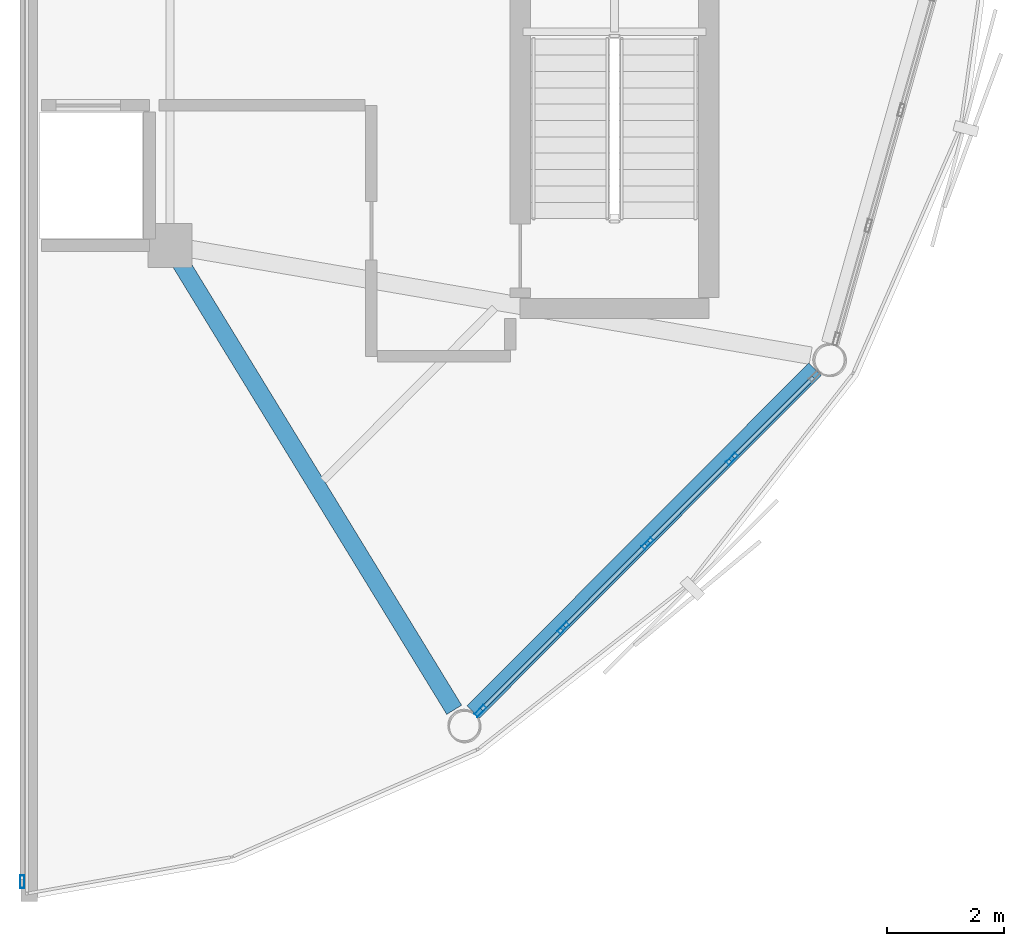
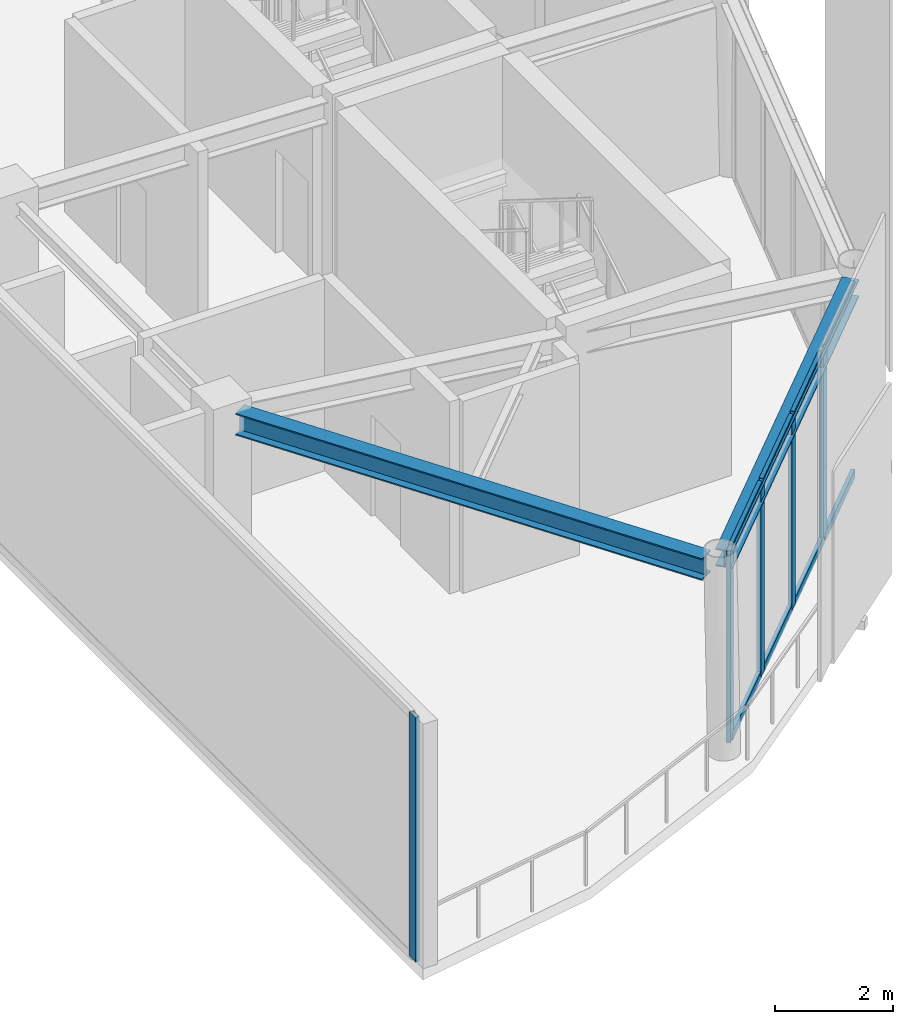
# One storey, part 2 of 13: 13 members, 2 beams, 2 elements without a shape of their own.
"""IFC4 building model written with IfcOpenShell, lengths in metres."""

from ifc_helpers import new_model, si_unit, direction, frame, origin, origin_2d, place, context, subcontext, project, spatial, hollow_rectangle, i_section, extrude, material, layer, layer_set, material_profile, profile_set, type_object, element, aggregate, save


model = new_model("IFC4")

# Units and contexts
model_context = context("Model", 3, precision=1e-05, world=origin(), true_north=direction((0.0, 1.0)))
body_context = subcontext(model_context, "Body", "Model", "MODEL_VIEW")
ifc_project = project(units=[si_unit("LENGTHUNIT", "METRE"), si_unit("AREAUNIT", "SQUARE_METRE"), si_unit("VOLUMEUNIT", "CUBIC_METRE"), si_unit("PLANEANGLEUNIT", "RADIAN"), si_unit("MASSUNIT", "GRAM", prefix="KILO")], contexts=[model_context])

# Site, building, storey
site_placement = place(None, origin())
site = spatial("IfcSite", under=ifc_project, at=site_placement, CompositionType="ELEMENT")
building_placement = place(site_placement, origin())
building = spatial("IfcBuilding", under=site, at=building_placement, Name="Varnakorn Sky Granary", CompositionType="ELEMENT")
storey_placement = place(building_placement, frame((0.0, 0.0, 315.0)))
storey = spatial("IfcBuildingStorey", under=building, at=storey_placement, Name="L80", CompositionType="ELEMENT", Elevation=315.0)

# Beams
ifc_material_1 = material(Name="Steel S355JR", Category="steel")
ifc_material_profile_1 = material_profile(ifc_material_1, i_section(OverallWidth=0.300048828125, OverallDepth=0.449951171875, WebThickness=0.013916015625, FlangeThickness=0.02587890625, at=origin_2d()), Name="HE 450 B")
ifc_profile_set_1 = profile_set([ifc_material_profile_1], Name="Steel S355JR")
beam_type_1 = type_object("IfcBeamType", Name="BM-RAD-Z5", PredefinedType="BEAM", material=ifc_profile_set_1)
beam_1_placement = place(storey_placement, frame((8.535400390625, -6.90283203125, 3.735107421875), z_axis=(0.522179715681, -0.852835473307, 0.0), x_axis=(0.852835473307, 0.522179715681, 0.0)))
element("IfcBeam", 1, at=beam_1_placement, inside=storey, type_object=beam_type_1, Name="Radial Floor Girder RG11 L80", PredefinedType="BEAM", context=body_context, shape_type="SweptSolid", body=[
    extrude(i_section(OverallWidth=0.300048828125, OverallDepth=0.449951171875, WebThickness=0.013916015625, FlangeThickness=0.02587890625, at=origin_2d()), origin(), (0.0, 0.0, 1.0), 8.97021484375),
])
ifc_material_profile_2 = material_profile(ifc_material_1, i_section(OverallWidth=0.300048828125, OverallDepth=0.360107421875, WebThickness=0.012451171875, FlangeThickness=0.0224609375, at=origin_2d()), Name="HE 360 B")
ifc_profile_set_2 = profile_set([ifc_material_profile_2], Name="Steel S355JR")
beam_type_2 = type_object("IfcBeamType", Name="BM-SPD-Z5", PredefinedType="SPANDREL", material=ifc_profile_set_2)
beam_2_placement = place(storey_placement, frame((13.544189453125, -14.59130859375, 3.780029296875), z_axis=(0.706075478013, 0.708136582411, 0.0), x_axis=(-0.708136582411, 0.706075478013, 0.0)))
element("IfcBeam", 2, at=beam_2_placement, inside=storey, type_object=beam_type_2, Name="Perimeter Spandrel Ring Beam RB11 L80", PredefinedType="SPANDREL", context=body_context, shape_type="SweptSolid", body=[
    extrude(i_section(OverallWidth=0.300048828125, OverallDepth=0.360107421875, WebThickness=0.012451171875, FlangeThickness=0.0224609375, at=origin_2d()), origin(), (0.0, 0.0, 1.0), 8.29150390625),
])

# Curtain wall, members
ifc_material_2 = material(Name="Anodised Bronze Aluminium Alloy 6063-T6", Category="aluminium")
ifc_layer = layer(ifc_material_2, 0.22998046875, Name="Anodised Bronze Aluminium Alloy 6063-T6")
ifc_layer_set = layer_set([ifc_layer], Name="Anodised Bronze Aluminium Alloy 6063-T6")
curtain_wall_type = type_object("IfcCurtainWallType", Name="CW-LNT-1", PredefinedType="USERDEFINED", material=ifc_layer_set)
curtain_wall_1_placement = place(storey_placement, origin())
curtain_wall_1 = element("IfcCurtainWall", 3, at=curtain_wall_1_placement, inside=storey, type_object=curtain_wall_type, Name="Unitised Curtain Wall CW7 CW-L80-B11", ObjectType="CURTAIN WALL", PredefinedType="USERDEFINED")
ifc_material_profile_3 = material_profile(ifc_material_2, hollow_rectangle(XDim=0.074951171875, YDim=0.219970703125, WallThickness=0.00390625, at=origin_2d()), Name="ALU MULL 75x220")
ifc_profile_set_3 = profile_set([ifc_material_profile_3], Name="Anodised Bronze Aluminium Alloy 6063-T6")
member_type_1 = type_object("IfcMemberType", Name="CW-LNT-1-MULL", PredefinedType="MULLION", material=ifc_profile_set_3)
member_1_placement = place(storey_placement, frame((17.97509765625, -10.256103515625, 0.0), z_axis=(0.0, 0.0, 1.0), x_axis=(0.707827489254, -0.706385337798, 0.0)))
member_1 = element("IfcMember", 4, at=member_1_placement, type_object=member_type_1, Name="CW7 mullion 2", PredefinedType="MULLION", context=body_context, shape_type="SweptSolid", body=[
    extrude(hollow_rectangle(XDim=0.074951171875, YDim=0.219970703125, WallThickness=0.00390625, at=origin_2d()), origin(), (0.0, 0.0, 1.0), 3.9599609375),
])
member_2_placement = place(storey_placement, frame((16.5302734375, -11.7041015625, 0.0), z_axis=(0.0, 0.0, 1.0), x_axis=(0.707827489254, -0.706385337798, 0.0)))
member_2 = element("IfcMember", 5, at=member_2_placement, type_object=member_type_1, Name="CW7 mullion 3", PredefinedType="MULLION", context=body_context, shape_type="SweptSolid", body=[
    extrude(hollow_rectangle(XDim=0.074951171875, YDim=0.219970703125, WallThickness=0.00390625, at=origin_2d()), origin(), (0.0, 0.0, 1.0), 3.9599609375),
])
member_3_placement = place(storey_placement, frame((15.085205078125, -13.152099609375, 0.0), z_axis=(0.0, 0.0, 1.0), x_axis=(0.707827489254, -0.706385337798, 0.0)))
member_3 = element("IfcMember", 6, at=member_3_placement, type_object=member_type_1, Name="CW7 mullion 4", PredefinedType="MULLION", context=body_context, shape_type="SweptSolid", body=[
    extrude(hollow_rectangle(XDim=0.074951171875, YDim=0.219970703125, WallThickness=0.00390625, at=origin_2d()), origin(), (0.0, 0.0, 1.0), 3.9599609375),
])
member_4_placement = place(storey_placement, frame((13.666748046875, -14.5732421875, 0.0), z_axis=(0.0, 0.0, 1.0), x_axis=(0.707827489254, -0.706385337798, 0.0)))
member_4 = element("IfcMember", 7, at=member_4_placement, type_object=member_type_1, Name="CW7 mullion 5", PredefinedType="MULLION", context=body_context, shape_type="SweptSolid", body=[
    extrude(hollow_rectangle(XDim=0.074951171875, YDim=0.219970703125, WallThickness=0.00390625, at=origin_2d()), origin(), (0.0, 0.0, 1.0), 3.9599609375),
])

# Curtain wall, member
curtain_wall_2_placement = place(storey_placement, origin())
curtain_wall_2 = element("IfcCurtainWall", 8, at=curtain_wall_2_placement, inside=storey, type_object=curtain_wall_type, Name="Unitised Curtain Wall CW7 CW-L80-SLANT", ObjectType="CURTAIN WALL", PredefinedType="USERDEFINED")
member_5_placement = place(storey_placement, frame((5.820068359375, -17.498046875, 0.0), z_axis=(0.0, 0.0, 1.0), x_axis=(-1.0, 0.0, 0.0)))
member_5 = element("IfcMember", 9, at=member_5_placement, type_object=member_type_1, Name="CW7 mullion 1", PredefinedType="MULLION", context=body_context, shape_type="SweptSolid", body=[
    extrude(hollow_rectangle(XDim=0.074951171875, YDim=0.219970703125, WallThickness=0.00390625, at=origin_2d()), origin(), (0.0, 0.0, 1.0), 5.043701171875),
])
aggregate(curtain_wall_2, [member_5])

# Member
ifc_material_profile_4 = material_profile(ifc_material_2, hollow_rectangle(XDim=0.074951171875, YDim=0.159912109375, WallThickness=0.00390625, at=origin_2d()), Name="ALU TRAN 75x160")
ifc_profile_set_4 = profile_set([ifc_material_profile_4], Name="Anodised Bronze Aluminium Alloy 6063-T6")
member_type_2 = type_object("IfcMemberType", Name="CW-LNT-1-TRAN", PredefinedType="USERDEFINED", material=ifc_profile_set_4)
member_6_placement = place(storey_placement, frame((19.3671875, -8.861328125, 0.03759765625), z_axis=(-0.706348625891, -0.707864124463, 0.0), x_axis=(0.707864124463, -0.706348625891, 0.0)))
member_6 = element("IfcMember", 10, at=member_6_placement, type_object=member_type_2, Name="CW7 transom 1.1", ObjectType="TRANSOM", PredefinedType="USERDEFINED", context=body_context, shape_type="SweptSolid", body=[
    extrude(hollow_rectangle(XDim=0.074951171875, YDim=0.159912109375, WallThickness=0.00390625, at=origin_2d()), origin(), (0.0, 0.0, 1.0), 1.93310546875),
])

member_7_placement = place(storey_placement, frame((19.3671875, -8.861328125, 3.922607421875), z_axis=(-0.706348625891, -0.707864124463, 0.0), x_axis=(0.707864124463, -0.706348625891, 0.0)))
member_7 = element("IfcMember", 11, at=member_7_placement, type_object=member_type_2, Name="CW7 transom 1.2", ObjectType="TRANSOM", PredefinedType="USERDEFINED", context=body_context, shape_type="SweptSolid", body=[
    extrude(hollow_rectangle(XDim=0.074951171875, YDim=0.159912109375, WallThickness=0.00390625, at=origin_2d()), origin(), (0.0, 0.0, 1.0), 1.93310546875),
])

member_8_placement = place(storey_placement, frame((17.94873046875, -10.28271484375, 0.03759765625), z_axis=(-0.706425053751, -0.707787851996, 0.0), x_axis=(0.707787851996, -0.706425053751, 0.0)))
member_8 = element("IfcMember", 12, at=member_8_placement, type_object=member_type_2, Name="CW7 transom 2.1", ObjectType="TRANSOM", PredefinedType="USERDEFINED", context=body_context, shape_type="SweptSolid", body=[
    extrude(hollow_rectangle(XDim=0.074951171875, YDim=0.159912109375, WallThickness=0.00390625, at=origin_2d()), origin(), (0.0, 0.0, 1.0), 1.970703125),
])

member_9_placement = place(storey_placement, frame((17.94873046875, -10.28271484375, 3.922607421875), z_axis=(-0.706425053751, -0.707787851996, 0.0), x_axis=(0.707787851996, -0.706425053751, 0.0)))
member_9 = element("IfcMember", 13, at=member_9_placement, type_object=member_type_2, Name="CW7 transom 2.2", ObjectType="TRANSOM", PredefinedType="USERDEFINED", context=body_context, shape_type="SweptSolid", body=[
    extrude(hollow_rectangle(XDim=0.074951171875, YDim=0.159912109375, WallThickness=0.00390625, at=origin_2d()), origin(), (0.0, 0.0, 1.0), 1.970703125),
])

member_10_placement = place(storey_placement, frame((16.503662109375, -11.730712890625, 0.03759765625), z_axis=(-0.706362980841, -0.707849799955, 0.0), x_axis=(0.707849799955, -0.706362980841, 0.0)))
member_10 = element("IfcMember", 14, at=member_10_placement, type_object=member_type_2, Name="CW7 transom 3.1", ObjectType="TRANSOM", PredefinedType="USERDEFINED", context=body_context, shape_type="SweptSolid", body=[
    extrude(hollow_rectangle(XDim=0.074951171875, YDim=0.159912109375, WallThickness=0.00390625, at=origin_2d()), origin(), (0.0, 0.0, 1.0), 1.970458984375),
])

member_11_placement = place(storey_placement, frame((16.503662109375, -11.730712890625, 3.922607421875), z_axis=(-0.706362980841, -0.707849799955, 0.0), x_axis=(0.707849799955, -0.706362980841, 0.0)))
member_11 = element("IfcMember", 15, at=member_11_placement, type_object=member_type_2, Name="CW7 transom 3.2", ObjectType="TRANSOM", PredefinedType="USERDEFINED", context=body_context, shape_type="SweptSolid", body=[
    extrude(hollow_rectangle(XDim=0.074951171875, YDim=0.159912109375, WallThickness=0.00390625, at=origin_2d()), origin(), (0.0, 0.0, 1.0), 1.970458984375),
])

member_12_placement = place(storey_placement, frame((15.058837890625, -13.178466796875, 0.03759765625), z_axis=(-0.706348625891, -0.707864124463, 0.0), x_axis=(0.707864124463, -0.706348625891, 0.0)))
member_12 = element("IfcMember", 16, at=member_12_placement, type_object=member_type_2, Name="CW7 transom 4.1", ObjectType="TRANSOM", PredefinedType="USERDEFINED", context=body_context, shape_type="SweptSolid", body=[
    extrude(hollow_rectangle(XDim=0.074951171875, YDim=0.159912109375, WallThickness=0.00390625, at=origin_2d()), origin(), (0.0, 0.0, 1.0), 1.93310546875),
])

member_13_placement = place(storey_placement, frame((15.058837890625, -13.178466796875, 3.922607421875), z_axis=(-0.706348625891, -0.707864124463, 0.0), x_axis=(0.707864124463, -0.706348625891, 0.0)))
member_13 = element("IfcMember", 17, at=member_13_placement, type_object=member_type_2, Name="CW7 transom 4.2", ObjectType="TRANSOM", PredefinedType="USERDEFINED", context=body_context, shape_type="SweptSolid", body=[
    extrude(hollow_rectangle(XDim=0.074951171875, YDim=0.159912109375, WallThickness=0.00390625, at=origin_2d()), origin(), (0.0, 0.0, 1.0), 1.93310546875),
])

aggregate(curtain_wall_1, [member_1, member_2, member_3, member_4, member_6, member_7, member_8, member_9, member_10, member_11, member_12, member_13])

save(model, "model.ifc")
